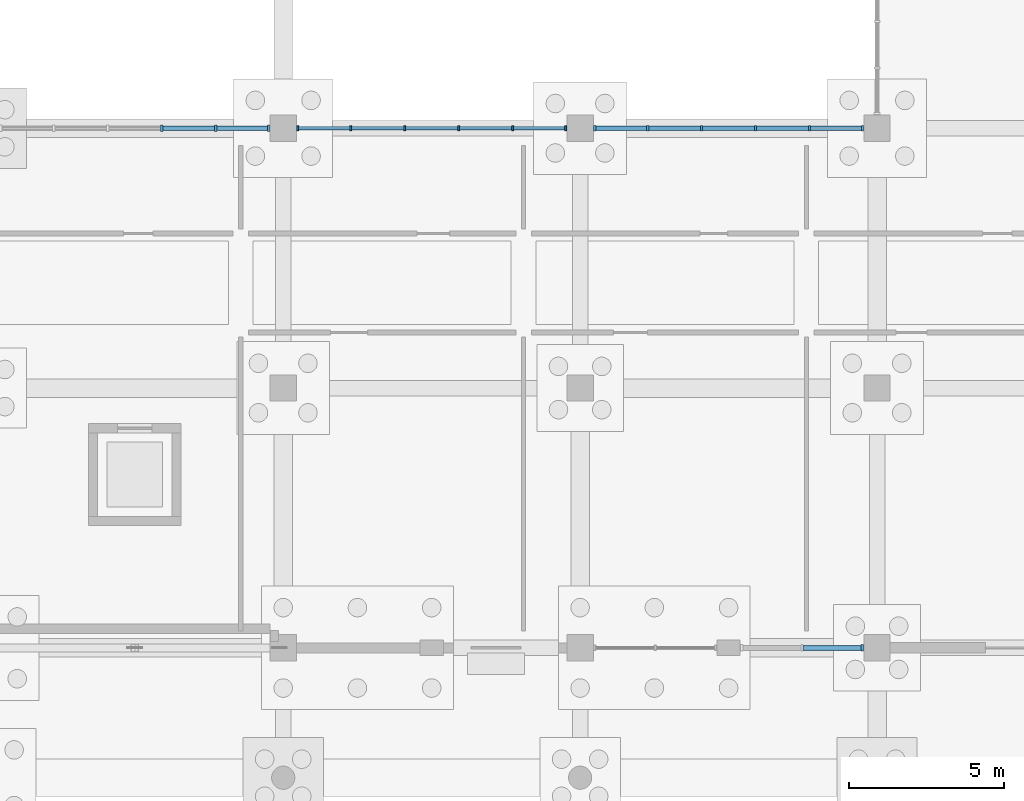
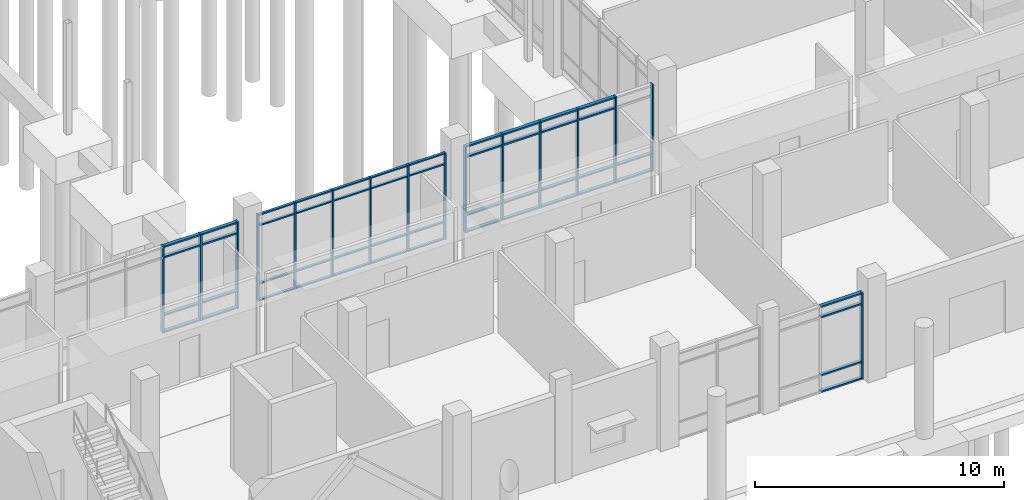
# One storey, part 50 of 136: 66 members, 4 elements without a shape of their own.
"""IFC4 building model written with IfcOpenShell, lengths in metres."""

from ifc_helpers import new_model, si_unit, direction, frame, origin, origin_2d, place, context, subcontext, project, spatial, rectangle, extrude, material, material_profile, profile_set, type_object, element, aggregate, save


model = new_model("IFC4")

# Units and contexts
model_context = context("Model", 3, precision=1e-05, world=origin(), true_north=direction((0.0, 1.0)))
body_context = subcontext(model_context, "Body", "Model", "MODEL_VIEW")
ifc_project = project(units=[si_unit("LENGTHUNIT", "METRE"), si_unit("AREAUNIT", "SQUARE_METRE"), si_unit("VOLUMEUNIT", "CUBIC_METRE"), si_unit("PLANEANGLEUNIT", "RADIAN"), si_unit("MASSUNIT", "GRAM", prefix="KILO")], contexts=[model_context])

# Site, building, storey
site_placement = place(None, origin())
site = spatial("IfcSite", under=ifc_project, at=site_placement, CompositionType="ELEMENT")
building_placement = place(site_placement, origin())
building = spatial("IfcBuilding", under=site, at=building_placement, Name="Oolite Switchyard Hospital", CompositionType="ELEMENT")
storey_placement = place(building_placement, origin())
storey = spatial("IfcBuildingStorey", under=building, at=storey_placement, Name="L00", CompositionType="ELEMENT", Elevation=0.0)

# Curtain wall, members
ifc_material_1 = material(Name="Thermally broken aluminum frame with laminated impact glazing", Category="aluminium")
curtain_wall_type_1 = type_object("IfcCurtainWallType", Name="CW-UNIT-96X51", PredefinedType="USERDEFINED", material=ifc_material_1)
curtain_wall_1_placement = place(storey_placement, origin())
curtain_wall_1 = element("IfcCurtainWall", 1, at=curtain_wall_1_placement, inside=storey, type_object=curtain_wall_type_1, Name="L00 Unitised Curtain Wall 12", ObjectType="UNITISED", PredefinedType="USERDEFINED")
ifc_material_2 = material(Name="Aluminium 6063-T6", Category="aluminium")
ifc_material_profile_1 = material_profile(ifc_material_2, rectangle(XDim=0.159912109375, YDim=0.06005859375, at=origin_2d()), Name="CWM60X160")
ifc_profile_set_1 = profile_set([ifc_material_profile_1], Name="Aluminium 6063-T6")
member_type_1 = type_object("IfcMemberType", Name="CW-MUL-180", PredefinedType="MULLION", material=ifc_profile_set_1)
member_1_placement = place(storey_placement, frame((163.669921875, 25.199951171875, 0.0), z_axis=(0.0, 0.0, 1.0), x_axis=(0.0, 1.0, 0.0)))
member_1 = element("IfcMember", 2, at=member_1_placement, type_object=member_type_1, Name="CW-01 mullion 1", PredefinedType="MULLION", context=body_context, shape_type="SweptSolid", body=[
    extrude(rectangle(XDim=0.159912109375, YDim=0.06005859375, at=origin_2d()), origin(), (0.0, 0.0, 1.0), 4.239990234375),
])
member_2_placement = place(storey_placement, frame((165.384033203125, 25.199951171875, 0.0), z_axis=(0.0, 0.0, 1.0), x_axis=(0.0, 1.0, 0.0)))
member_2 = element("IfcMember", 3, at=member_2_placement, type_object=member_type_1, Name="CW-01 mullion 2", PredefinedType="MULLION", context=body_context, shape_type="SweptSolid", body=[
    extrude(rectangle(XDim=0.159912109375, YDim=0.06005859375, at=origin_2d()), origin(), (0.0, 0.0, 1.0), 4.239990234375),
])
member_3_placement = place(storey_placement, frame((167.1279296875, 25.199951171875, 0.0), z_axis=(0.0, 0.0, 1.0), x_axis=(0.0, 1.0, 0.0)))
member_3 = element("IfcMember", 4, at=member_3_placement, type_object=member_type_1, Name="CW-01 mullion 3", PredefinedType="MULLION", context=body_context, shape_type="SweptSolid", body=[
    extrude(rectangle(XDim=0.159912109375, YDim=0.06005859375, at=origin_2d()), origin(), (0.0, 0.0, 1.0), 4.239990234375),
])
member_4_placement = place(storey_placement, frame((168.8720703125, 25.199951171875, 0.0), z_axis=(0.0, 0.0, 1.0), x_axis=(0.0, 1.0, 0.0)))
member_4 = element("IfcMember", 5, at=member_4_placement, type_object=member_type_1, Name="CW-01 mullion 4", PredefinedType="MULLION", context=body_context, shape_type="SweptSolid", body=[
    extrude(rectangle(XDim=0.159912109375, YDim=0.06005859375, at=origin_2d()), origin(), (0.0, 0.0, 1.0), 4.239990234375),
])
member_5_placement = place(storey_placement, frame((170.615966796875, 25.199951171875, 0.0), z_axis=(0.0, 0.0, 1.0), x_axis=(0.0, 1.0, 0.0)))
member_5 = element("IfcMember", 6, at=member_5_placement, type_object=member_type_1, Name="CW-01 mullion 5", PredefinedType="MULLION", context=body_context, shape_type="SweptSolid", body=[
    extrude(rectangle(XDim=0.159912109375, YDim=0.06005859375, at=origin_2d()), origin(), (0.0, 0.0, 1.0), 4.239990234375),
])
member_6_placement = place(storey_placement, frame((172.330078125, 25.199951171875, 0.0), z_axis=(0.0, 0.0, 1.0), x_axis=(0.0, 1.0, 0.0)))
member_6 = element("IfcMember", 7, at=member_6_placement, type_object=member_type_1, Name="CW-01 mullion 6", PredefinedType="MULLION", context=body_context, shape_type="SweptSolid", body=[
    extrude(rectangle(XDim=0.159912109375, YDim=0.06005859375, at=origin_2d()), origin(), (0.0, 0.0, 1.0), 4.239990234375),
])

curtain_wall_2_placement = place(storey_placement, origin())
curtain_wall_2 = element("IfcCurtainWall", 8, at=curtain_wall_2_placement, inside=storey, type_object=curtain_wall_type_1, Name="L00 Unitised Curtain Wall 13", ObjectType="UNITISED", PredefinedType="USERDEFINED")
ifc_material_profile_2 = material_profile(ifc_material_2, rectangle(XDim=0.179931640625, YDim=0.070068359375, at=origin_2d()), Name="CWM70X180")
ifc_profile_set_2 = profile_set([ifc_material_profile_2], Name="Aluminium 6063-T6")
member_type_2 = type_object("IfcMemberType", Name="CW-MUL-220", PredefinedType="MULLION", material=ifc_profile_set_2)
member_7_placement = place(storey_placement, frame((173.27490234375, 25.199951171875, 0.0), z_axis=(0.0, 0.0, 1.0), x_axis=(0.0, 1.0, 0.0)))
member_7 = element("IfcMember", 9, at=member_7_placement, type_object=member_type_2, Name="CW-01 mullion 1", PredefinedType="MULLION", context=body_context, shape_type="SweptSolid", body=[
    extrude(rectangle(XDim=0.179931640625, YDim=0.070068359375, at=origin_2d()), origin(), (0.0, 0.0, 1.0), 4.239990234375),
])
member_8_placement = place(storey_placement, frame((174.98388671875, 25.199951171875, 0.0), z_axis=(0.0, 0.0, 1.0), x_axis=(0.0, 1.0, 0.0)))
member_8 = element("IfcMember", 10, at=member_8_placement, type_object=member_type_2, Name="CW-01 mullion 2", PredefinedType="MULLION", context=body_context, shape_type="SweptSolid", body=[
    extrude(rectangle(XDim=0.179931640625, YDim=0.070068359375, at=origin_2d()), origin(), (0.0, 0.0, 1.0), 4.239990234375),
])
member_9_placement = place(storey_placement, frame((176.72802734375, 25.199951171875, 0.0), z_axis=(0.0, 0.0, 1.0), x_axis=(0.0, 1.0, 0.0)))
member_9 = element("IfcMember", 11, at=member_9_placement, type_object=member_type_2, Name="CW-01 mullion 3", PredefinedType="MULLION", context=body_context, shape_type="SweptSolid", body=[
    extrude(rectangle(XDim=0.179931640625, YDim=0.070068359375, at=origin_2d()), origin(), (0.0, 0.0, 1.0), 4.239990234375),
])
member_10_placement = place(storey_placement, frame((178.471923828125, 25.199951171875, 0.0), z_axis=(0.0, 0.0, 1.0), x_axis=(0.0, 1.0, 0.0)))
member_10 = element("IfcMember", 12, at=member_10_placement, type_object=member_type_2, Name="CW-01 mullion 4", PredefinedType="MULLION", context=body_context, shape_type="SweptSolid", body=[
    extrude(rectangle(XDim=0.179931640625, YDim=0.070068359375, at=origin_2d()), origin(), (0.0, 0.0, 1.0), 4.239990234375),
])
member_11_placement = place(storey_placement, frame((180.216064453125, 25.199951171875, 0.0), z_axis=(0.0, 0.0, 1.0), x_axis=(0.0, 1.0, 0.0)))
member_11 = element("IfcMember", 13, at=member_11_placement, type_object=member_type_2, Name="CW-01 mullion 5", PredefinedType="MULLION", context=body_context, shape_type="SweptSolid", body=[
    extrude(rectangle(XDim=0.179931640625, YDim=0.070068359375, at=origin_2d()), origin(), (0.0, 0.0, 1.0), 4.239990234375),
])
member_12_placement = place(storey_placement, frame((181.925048828125, 25.199951171875, 0.0), z_axis=(0.0, 0.0, 1.0), x_axis=(0.0, 1.0, 0.0)))
member_12 = element("IfcMember", 14, at=member_12_placement, type_object=member_type_2, Name="CW-01 mullion 6", PredefinedType="MULLION", context=body_context, shape_type="SweptSolid", body=[
    extrude(rectangle(XDim=0.179931640625, YDim=0.070068359375, at=origin_2d()), origin(), (0.0, 0.0, 1.0), 4.239990234375),
])

# Curtain wall, member
curtain_wall_type_2 = type_object("IfcCurtainWallType", Name="CW-UNIT-84X51", PredefinedType="USERDEFINED", material=ifc_material_1)
curtain_wall_3_placement = place(storey_placement, origin())
curtain_wall_3 = element("IfcCurtainWall", 15, at=curtain_wall_3_placement, inside=storey, type_object=curtain_wall_type_2, Name="L00 Unitised Curtain Wall 5", ObjectType="UNITISED", PredefinedType="USERDEFINED")
ifc_material_profile_3 = material_profile(ifc_material_2, rectangle(XDim=0.199951171875, YDim=0.074951171875, at=origin_2d()), Name="CWM75X200")
ifc_profile_set_3 = profile_set([ifc_material_profile_3], Name="Aluminium 6063-T6")
member_type_3 = type_object("IfcMemberType", Name="CW-MUL-260", PredefinedType="MULLION", material=ifc_profile_set_3)
member_13_placement = place(storey_placement, frame((181.922607421875, 8.39990234375, 0.0), z_axis=(0.0, 0.0, 1.0), x_axis=(0.0, -1.0, 0.0)))
member_13 = element("IfcMember", 16, at=member_13_placement, type_object=member_type_3, Name="CW-06 mullion 1", PredefinedType="MULLION", context=body_context, shape_type="SweptSolid", body=[
    extrude(rectangle(XDim=0.199951171875, YDim=0.074951171875, at=origin_2d()), origin(), (0.0, 0.0, 1.0), 4.239990234375),
])

# Curtain wall, members
curtain_wall_4_placement = place(storey_placement, origin())
curtain_wall_4 = element("IfcCurtainWall", 17, at=curtain_wall_4_placement, inside=storey, type_object=curtain_wall_type_1, Name="L00 Unitised Curtain Wall 11", ObjectType="UNITISED", PredefinedType="USERDEFINED")
member_14_placement = place(storey_placement, frame((159.27197265625, 25.199951171875, 0.0), z_axis=(0.0, 0.0, 1.0), x_axis=(0.0, 1.0, 0.0)))
member_14 = element("IfcMember", 18, at=member_14_placement, type_object=member_type_3, Name="CW-01 mullion 4", PredefinedType="MULLION", context=body_context, shape_type="SweptSolid", body=[
    extrude(rectangle(XDim=0.199951171875, YDim=0.074951171875, at=origin_2d()), origin(), (0.0, 0.0, 1.0), 4.239990234375),
])
member_15_placement = place(storey_placement, frame((161.01611328125, 25.199951171875, 0.0), z_axis=(0.0, 0.0, 1.0), x_axis=(0.0, 1.0, 0.0)))
member_15 = element("IfcMember", 19, at=member_15_placement, type_object=member_type_3, Name="CW-01 mullion 5", PredefinedType="MULLION", context=body_context, shape_type="SweptSolid", body=[
    extrude(rectangle(XDim=0.199951171875, YDim=0.074951171875, at=origin_2d()), origin(), (0.0, 0.0, 1.0), 4.239990234375),
])
member_16_placement = place(storey_placement, frame((162.722412109375, 25.199951171875, 0.0), z_axis=(0.0, 0.0, 1.0), x_axis=(0.0, 1.0, 0.0)))
member_16 = element("IfcMember", 20, at=member_16_placement, type_object=member_type_3, Name="CW-01 mullion 6", PredefinedType="MULLION", context=body_context, shape_type="SweptSolid", body=[
    extrude(rectangle(XDim=0.199951171875, YDim=0.074951171875, at=origin_2d()), origin(), (0.0, 0.0, 1.0), 4.239990234375),
])

# Member
ifc_material_profile_4 = material_profile(ifc_material_2, rectangle(XDim=0.1201171875, YDim=0.06005859375, at=origin_2d()), Name="CWT60X120")
ifc_profile_set_4 = profile_set([ifc_material_profile_4], Name="Aluminium 6063-T6")
member_type_4 = type_object("IfcMemberType", Name="CW-TRN-150", PredefinedType="USERDEFINED", material=ifc_profile_set_4)
member_17_placement = place(storey_placement, frame((163.699951171875, 25.199951171875, 0.030029296875), z_axis=(1.0, 0.0, 0.0), x_axis=(0.0, 1.0, 0.0)))
member_17 = element("IfcMember", 21, at=member_17_placement, type_object=member_type_4, Name="CW-01 transom 1.1", ObjectType="TRANSOM", PredefinedType="USERDEFINED", context=body_context, shape_type="SweptSolid", body=[
    extrude(rectangle(XDim=0.1201171875, YDim=0.06005859375, at=origin_2d()), origin(), (0.0, 0.0, 1.0), 1.654052734375),
])

member_18_placement = place(storey_placement, frame((163.699951171875, 25.199951171875, 0.85009765625), z_axis=(1.0, 0.0, 0.0), x_axis=(0.0, 1.0, 0.0)))
member_18 = element("IfcMember", 22, at=member_18_placement, type_object=member_type_4, Name="CW-01 transom 1.2", ObjectType="TRANSOM", PredefinedType="USERDEFINED", context=body_context, shape_type="SweptSolid", body=[
    extrude(rectangle(XDim=0.1201171875, YDim=0.06005859375, at=origin_2d()), origin(), (0.0, 0.0, 1.0), 1.654052734375),
])

member_19_placement = place(storey_placement, frame((163.699951171875, 25.199951171875, 3.68994140625), z_axis=(1.0, 0.0, 0.0), x_axis=(0.0, 1.0, 0.0)))
member_19 = element("IfcMember", 23, at=member_19_placement, type_object=member_type_4, Name="CW-01 transom 1.3", ObjectType="TRANSOM", PredefinedType="USERDEFINED", context=body_context, shape_type="SweptSolid", body=[
    extrude(rectangle(XDim=0.1201171875, YDim=0.06005859375, at=origin_2d()), origin(), (0.0, 0.0, 1.0), 1.654052734375),
])

member_20_placement = place(storey_placement, frame((163.699951171875, 25.199951171875, 4.2099609375), z_axis=(1.0, 0.0, 0.0), x_axis=(0.0, 1.0, 0.0)))
member_20 = element("IfcMember", 24, at=member_20_placement, type_object=member_type_4, Name="CW-01 transom 1.4", ObjectType="TRANSOM", PredefinedType="USERDEFINED", context=body_context, shape_type="SweptSolid", body=[
    extrude(rectangle(XDim=0.1201171875, YDim=0.06005859375, at=origin_2d()), origin(), (0.0, 0.0, 1.0), 1.654052734375),
])

member_21_placement = place(storey_placement, frame((165.4140625, 25.199951171875, 0.030029296875), z_axis=(1.0, 0.0, 0.0), x_axis=(0.0, 1.0, 0.0)))
member_21 = element("IfcMember", 25, at=member_21_placement, type_object=member_type_4, Name="CW-01 transom 2.1", ObjectType="TRANSOM", PredefinedType="USERDEFINED", context=body_context, shape_type="SweptSolid", body=[
    extrude(rectangle(XDim=0.1201171875, YDim=0.06005859375, at=origin_2d()), origin(), (0.0, 0.0, 1.0), 1.683837890625),
])

member_22_placement = place(storey_placement, frame((165.4140625, 25.199951171875, 0.85009765625), z_axis=(1.0, 0.0, 0.0), x_axis=(0.0, 1.0, 0.0)))
member_22 = element("IfcMember", 26, at=member_22_placement, type_object=member_type_4, Name="CW-01 transom 2.2", ObjectType="TRANSOM", PredefinedType="USERDEFINED", context=body_context, shape_type="SweptSolid", body=[
    extrude(rectangle(XDim=0.1201171875, YDim=0.06005859375, at=origin_2d()), origin(), (0.0, 0.0, 1.0), 1.683837890625),
])

member_23_placement = place(storey_placement, frame((165.4140625, 25.199951171875, 3.68994140625), z_axis=(1.0, 0.0, 0.0), x_axis=(0.0, 1.0, 0.0)))
member_23 = element("IfcMember", 27, at=member_23_placement, type_object=member_type_4, Name="CW-01 transom 2.3", ObjectType="TRANSOM", PredefinedType="USERDEFINED", context=body_context, shape_type="SweptSolid", body=[
    extrude(rectangle(XDim=0.1201171875, YDim=0.06005859375, at=origin_2d()), origin(), (0.0, 0.0, 1.0), 1.683837890625),
])

member_24_placement = place(storey_placement, frame((165.4140625, 25.199951171875, 4.2099609375), z_axis=(1.0, 0.0, 0.0), x_axis=(0.0, 1.0, 0.0)))
member_24 = element("IfcMember", 28, at=member_24_placement, type_object=member_type_4, Name="CW-01 transom 2.4", ObjectType="TRANSOM", PredefinedType="USERDEFINED", context=body_context, shape_type="SweptSolid", body=[
    extrude(rectangle(XDim=0.1201171875, YDim=0.06005859375, at=origin_2d()), origin(), (0.0, 0.0, 1.0), 1.683837890625),
])

member_25_placement = place(storey_placement, frame((167.157958984375, 25.199951171875, 0.030029296875), z_axis=(1.0, 0.0, 0.0), x_axis=(0.0, 1.0, 0.0)))
member_25 = element("IfcMember", 29, at=member_25_placement, type_object=member_type_4, Name="CW-01 transom 3.1", ObjectType="TRANSOM", PredefinedType="USERDEFINED", context=body_context, shape_type="SweptSolid", body=[
    extrude(rectangle(XDim=0.1201171875, YDim=0.06005859375, at=origin_2d()), origin(), (0.0, 0.0, 1.0), 1.68408203125),
])

member_26_placement = place(storey_placement, frame((167.157958984375, 25.199951171875, 0.85009765625), z_axis=(1.0, 0.0, 0.0), x_axis=(0.0, 1.0, 0.0)))
member_26 = element("IfcMember", 30, at=member_26_placement, type_object=member_type_4, Name="CW-01 transom 3.2", ObjectType="TRANSOM", PredefinedType="USERDEFINED", context=body_context, shape_type="SweptSolid", body=[
    extrude(rectangle(XDim=0.1201171875, YDim=0.06005859375, at=origin_2d()), origin(), (0.0, 0.0, 1.0), 1.68408203125),
])

member_27_placement = place(storey_placement, frame((167.157958984375, 25.199951171875, 3.68994140625), z_axis=(1.0, 0.0, 0.0), x_axis=(0.0, 1.0, 0.0)))
member_27 = element("IfcMember", 31, at=member_27_placement, type_object=member_type_4, Name="CW-01 transom 3.3", ObjectType="TRANSOM", PredefinedType="USERDEFINED", context=body_context, shape_type="SweptSolid", body=[
    extrude(rectangle(XDim=0.1201171875, YDim=0.06005859375, at=origin_2d()), origin(), (0.0, 0.0, 1.0), 1.68408203125),
])

member_28_placement = place(storey_placement, frame((167.157958984375, 25.199951171875, 4.2099609375), z_axis=(1.0, 0.0, 0.0), x_axis=(0.0, 1.0, 0.0)))
member_28 = element("IfcMember", 32, at=member_28_placement, type_object=member_type_4, Name="CW-01 transom 3.4", ObjectType="TRANSOM", PredefinedType="USERDEFINED", context=body_context, shape_type="SweptSolid", body=[
    extrude(rectangle(XDim=0.1201171875, YDim=0.06005859375, at=origin_2d()), origin(), (0.0, 0.0, 1.0), 1.68408203125),
])

member_29_placement = place(storey_placement, frame((168.902099609375, 25.199951171875, 0.030029296875), z_axis=(1.0, 0.0, 0.0), x_axis=(0.0, 1.0, 0.0)))
member_29 = element("IfcMember", 33, at=member_29_placement, type_object=member_type_4, Name="CW-01 transom 4.1", ObjectType="TRANSOM", PredefinedType="USERDEFINED", context=body_context, shape_type="SweptSolid", body=[
    extrude(rectangle(XDim=0.1201171875, YDim=0.06005859375, at=origin_2d()), origin(), (0.0, 0.0, 1.0), 1.683837890625),
])

member_30_placement = place(storey_placement, frame((168.902099609375, 25.199951171875, 0.85009765625), z_axis=(1.0, 0.0, 0.0), x_axis=(0.0, 1.0, 0.0)))
member_30 = element("IfcMember", 34, at=member_30_placement, type_object=member_type_4, Name="CW-01 transom 4.2", ObjectType="TRANSOM", PredefinedType="USERDEFINED", context=body_context, shape_type="SweptSolid", body=[
    extrude(rectangle(XDim=0.1201171875, YDim=0.06005859375, at=origin_2d()), origin(), (0.0, 0.0, 1.0), 1.683837890625),
])

member_31_placement = place(storey_placement, frame((168.902099609375, 25.199951171875, 3.68994140625), z_axis=(1.0, 0.0, 0.0), x_axis=(0.0, 1.0, 0.0)))
member_31 = element("IfcMember", 35, at=member_31_placement, type_object=member_type_4, Name="CW-01 transom 4.3", ObjectType="TRANSOM", PredefinedType="USERDEFINED", context=body_context, shape_type="SweptSolid", body=[
    extrude(rectangle(XDim=0.1201171875, YDim=0.06005859375, at=origin_2d()), origin(), (0.0, 0.0, 1.0), 1.683837890625),
])

member_32_placement = place(storey_placement, frame((168.902099609375, 25.199951171875, 4.2099609375), z_axis=(1.0, 0.0, 0.0), x_axis=(0.0, 1.0, 0.0)))
member_32 = element("IfcMember", 36, at=member_32_placement, type_object=member_type_4, Name="CW-01 transom 4.4", ObjectType="TRANSOM", PredefinedType="USERDEFINED", context=body_context, shape_type="SweptSolid", body=[
    extrude(rectangle(XDim=0.1201171875, YDim=0.06005859375, at=origin_2d()), origin(), (0.0, 0.0, 1.0), 1.683837890625),
])

member_33_placement = place(storey_placement, frame((170.64599609375, 25.199951171875, 0.030029296875), z_axis=(1.0, 0.0, 0.0), x_axis=(0.0, 1.0, 0.0)))
member_33 = element("IfcMember", 37, at=member_33_placement, type_object=member_type_4, Name="CW-01 transom 5.1", ObjectType="TRANSOM", PredefinedType="USERDEFINED", context=body_context, shape_type="SweptSolid", body=[
    extrude(rectangle(XDim=0.1201171875, YDim=0.06005859375, at=origin_2d()), origin(), (0.0, 0.0, 1.0), 1.654052734375),
])

member_34_placement = place(storey_placement, frame((170.64599609375, 25.199951171875, 0.85009765625), z_axis=(1.0, 0.0, 0.0), x_axis=(0.0, 1.0, 0.0)))
member_34 = element("IfcMember", 38, at=member_34_placement, type_object=member_type_4, Name="CW-01 transom 5.2", ObjectType="TRANSOM", PredefinedType="USERDEFINED", context=body_context, shape_type="SweptSolid", body=[
    extrude(rectangle(XDim=0.1201171875, YDim=0.06005859375, at=origin_2d()), origin(), (0.0, 0.0, 1.0), 1.654052734375),
])

member_35_placement = place(storey_placement, frame((170.64599609375, 25.199951171875, 3.68994140625), z_axis=(1.0, 0.0, 0.0), x_axis=(0.0, 1.0, 0.0)))
member_35 = element("IfcMember", 39, at=member_35_placement, type_object=member_type_4, Name="CW-01 transom 5.3", ObjectType="TRANSOM", PredefinedType="USERDEFINED", context=body_context, shape_type="SweptSolid", body=[
    extrude(rectangle(XDim=0.1201171875, YDim=0.06005859375, at=origin_2d()), origin(), (0.0, 0.0, 1.0), 1.654052734375),
])

member_36_placement = place(storey_placement, frame((170.64599609375, 25.199951171875, 4.2099609375), z_axis=(1.0, 0.0, 0.0), x_axis=(0.0, 1.0, 0.0)))
member_36 = element("IfcMember", 40, at=member_36_placement, type_object=member_type_4, Name="CW-01 transom 5.4", ObjectType="TRANSOM", PredefinedType="USERDEFINED", context=body_context, shape_type="SweptSolid", body=[
    extrude(rectangle(XDim=0.1201171875, YDim=0.06005859375, at=origin_2d()), origin(), (0.0, 0.0, 1.0), 1.654052734375),
])

aggregate(curtain_wall_1, [member_1, member_2, member_3, member_4, member_5, member_6, member_17, member_18, member_19, member_20, member_21, member_22, member_23, member_24, member_25, member_26, member_27, member_28, member_29, member_30, member_31, member_32, member_33, member_34, member_35, member_36])

ifc_material_profile_5 = material_profile(ifc_material_2, rectangle(XDim=0.159912109375, YDim=0.074951171875, at=origin_2d()), Name="CWT75X160")
ifc_profile_set_5 = profile_set([ifc_material_profile_5], Name="Aluminium 6063-T6")
member_type_5 = type_object("IfcMemberType", Name="CW-TRN-180", PredefinedType="USERDEFINED", material=ifc_profile_set_5)
member_37_placement = place(storey_placement, frame((181.885009765625, 8.39990234375, 0.03759765625), z_axis=(-1.0, 0.0, 0.0), x_axis=(0.0, -1.0, 0.0)))
member_37 = element("IfcMember", 41, at=member_37_placement, type_object=member_type_5, Name="CW-06 transom 1.1", ObjectType="TRANSOM", PredefinedType="USERDEFINED", context=body_context, shape_type="SweptSolid", body=[
    extrude(rectangle(XDim=0.159912109375, YDim=0.074951171875, at=origin_2d()), origin(), (0.0, 0.0, 1.0), 1.87255859375),
])

member_38_placement = place(storey_placement, frame((181.885009765625, 8.39990234375, 0.85009765625), z_axis=(-1.0, 0.0, 0.0), x_axis=(0.0, -1.0, 0.0)))
member_38 = element("IfcMember", 42, at=member_38_placement, type_object=member_type_5, Name="CW-06 transom 1.2", ObjectType="TRANSOM", PredefinedType="USERDEFINED", context=body_context, shape_type="SweptSolid", body=[
    extrude(rectangle(XDim=0.159912109375, YDim=0.074951171875, at=origin_2d()), origin(), (0.0, 0.0, 1.0), 1.87255859375),
])

member_39_placement = place(storey_placement, frame((181.885009765625, 8.39990234375, 3.68994140625), z_axis=(-1.0, 0.0, 0.0), x_axis=(0.0, -1.0, 0.0)))
member_39 = element("IfcMember", 43, at=member_39_placement, type_object=member_type_5, Name="CW-06 transom 1.3", ObjectType="TRANSOM", PredefinedType="USERDEFINED", context=body_context, shape_type="SweptSolid", body=[
    extrude(rectangle(XDim=0.159912109375, YDim=0.074951171875, at=origin_2d()), origin(), (0.0, 0.0, 1.0), 1.87255859375),
])

member_40_placement = place(storey_placement, frame((181.885009765625, 8.39990234375, 4.202392578125), z_axis=(-1.0, 0.0, 0.0), x_axis=(0.0, -1.0, 0.0)))
member_40 = element("IfcMember", 44, at=member_40_placement, type_object=member_type_5, Name="CW-06 transom 1.4", ObjectType="TRANSOM", PredefinedType="USERDEFINED", context=body_context, shape_type="SweptSolid", body=[
    extrude(rectangle(XDim=0.159912109375, YDim=0.074951171875, at=origin_2d()), origin(), (0.0, 0.0, 1.0), 1.87255859375),
])

aggregate(curtain_wall_3, [member_13, member_37, member_38, member_39, member_40])

member_41_placement = place(storey_placement, frame((159.3095703125, 25.199951171875, 0.03759765625), z_axis=(1.0, 0.0, 0.0), x_axis=(0.0, 1.0, 0.0)))
member_41 = element("IfcMember", 45, at=member_41_placement, type_object=member_type_5, Name="CW-01 transom 4.1", ObjectType="TRANSOM", PredefinedType="USERDEFINED", context=body_context, shape_type="SweptSolid", body=[
    extrude(rectangle(XDim=0.159912109375, YDim=0.074951171875, at=origin_2d()), origin(), (0.0, 0.0, 1.0), 1.6689453125),
])

member_42_placement = place(storey_placement, frame((159.3095703125, 25.199951171875, 0.85009765625), z_axis=(1.0, 0.0, 0.0), x_axis=(0.0, 1.0, 0.0)))
member_42 = element("IfcMember", 46, at=member_42_placement, type_object=member_type_5, Name="CW-01 transom 4.2", ObjectType="TRANSOM", PredefinedType="USERDEFINED", context=body_context, shape_type="SweptSolid", body=[
    extrude(rectangle(XDim=0.159912109375, YDim=0.074951171875, at=origin_2d()), origin(), (0.0, 0.0, 1.0), 1.6689453125),
])

member_43_placement = place(storey_placement, frame((159.3095703125, 25.199951171875, 3.68994140625), z_axis=(1.0, 0.0, 0.0), x_axis=(0.0, 1.0, 0.0)))
member_43 = element("IfcMember", 47, at=member_43_placement, type_object=member_type_5, Name="CW-01 transom 4.3", ObjectType="TRANSOM", PredefinedType="USERDEFINED", context=body_context, shape_type="SweptSolid", body=[
    extrude(rectangle(XDim=0.159912109375, YDim=0.074951171875, at=origin_2d()), origin(), (0.0, 0.0, 1.0), 1.6689453125),
])

member_44_placement = place(storey_placement, frame((159.3095703125, 25.199951171875, 4.202392578125), z_axis=(1.0, 0.0, 0.0), x_axis=(0.0, 1.0, 0.0)))
member_44 = element("IfcMember", 48, at=member_44_placement, type_object=member_type_5, Name="CW-01 transom 4.4", ObjectType="TRANSOM", PredefinedType="USERDEFINED", context=body_context, shape_type="SweptSolid", body=[
    extrude(rectangle(XDim=0.159912109375, YDim=0.074951171875, at=origin_2d()), origin(), (0.0, 0.0, 1.0), 1.6689453125),
])

member_45_placement = place(storey_placement, frame((161.053466796875, 25.199951171875, 0.03759765625), z_axis=(1.0, 0.0, 0.0), x_axis=(0.0, 1.0, 0.0)))
member_45 = element("IfcMember", 49, at=member_45_placement, type_object=member_type_5, Name="CW-01 transom 5.1", ObjectType="TRANSOM", PredefinedType="USERDEFINED", context=body_context, shape_type="SweptSolid", body=[
    extrude(rectangle(XDim=0.159912109375, YDim=0.074951171875, at=origin_2d()), origin(), (0.0, 0.0, 1.0), 1.631591796875),
])

member_46_placement = place(storey_placement, frame((161.053466796875, 25.199951171875, 0.85009765625), z_axis=(1.0, 0.0, 0.0), x_axis=(0.0, 1.0, 0.0)))
member_46 = element("IfcMember", 50, at=member_46_placement, type_object=member_type_5, Name="CW-01 transom 5.2", ObjectType="TRANSOM", PredefinedType="USERDEFINED", context=body_context, shape_type="SweptSolid", body=[
    extrude(rectangle(XDim=0.159912109375, YDim=0.074951171875, at=origin_2d()), origin(), (0.0, 0.0, 1.0), 1.631591796875),
])

member_47_placement = place(storey_placement, frame((161.053466796875, 25.199951171875, 3.68994140625), z_axis=(1.0, 0.0, 0.0), x_axis=(0.0, 1.0, 0.0)))
member_47 = element("IfcMember", 51, at=member_47_placement, type_object=member_type_5, Name="CW-01 transom 5.3", ObjectType="TRANSOM", PredefinedType="USERDEFINED", context=body_context, shape_type="SweptSolid", body=[
    extrude(rectangle(XDim=0.159912109375, YDim=0.074951171875, at=origin_2d()), origin(), (0.0, 0.0, 1.0), 1.631591796875),
])

member_48_placement = place(storey_placement, frame((161.053466796875, 25.199951171875, 4.202392578125), z_axis=(1.0, 0.0, 0.0), x_axis=(0.0, 1.0, 0.0)))
member_48 = element("IfcMember", 52, at=member_48_placement, type_object=member_type_5, Name="CW-01 transom 5.4", ObjectType="TRANSOM", PredefinedType="USERDEFINED", context=body_context, shape_type="SweptSolid", body=[
    extrude(rectangle(XDim=0.159912109375, YDim=0.074951171875, at=origin_2d()), origin(), (0.0, 0.0, 1.0), 1.631591796875),
])

aggregate(curtain_wall_4, [member_14, member_15, member_16, member_41, member_42, member_43, member_44, member_45, member_46, member_47, member_48])

member_49_placement = place(storey_placement, frame((173.31005859375, 25.199951171875, 0.03759765625), z_axis=(1.0, 0.0, 0.0), x_axis=(0.0, 1.0, 0.0)))
member_49 = element("IfcMember", 53, at=member_49_placement, type_object=member_type_5, Name="CW-01 transom 1.1", ObjectType="TRANSOM", PredefinedType="USERDEFINED", context=body_context, shape_type="SweptSolid", body=[
    extrude(rectangle(XDim=0.159912109375, YDim=0.074951171875, at=origin_2d()), origin(), (0.0, 0.0, 1.0), 1.638916015625),
])

member_50_placement = place(storey_placement, frame((173.31005859375, 25.199951171875, 0.85009765625), z_axis=(1.0, 0.0, 0.0), x_axis=(0.0, 1.0, 0.0)))
member_50 = element("IfcMember", 54, at=member_50_placement, type_object=member_type_5, Name="CW-01 transom 1.2", ObjectType="TRANSOM", PredefinedType="USERDEFINED", context=body_context, shape_type="SweptSolid", body=[
    extrude(rectangle(XDim=0.159912109375, YDim=0.074951171875, at=origin_2d()), origin(), (0.0, 0.0, 1.0), 1.638916015625),
])

member_51_placement = place(storey_placement, frame((173.31005859375, 25.199951171875, 3.68994140625), z_axis=(1.0, 0.0, 0.0), x_axis=(0.0, 1.0, 0.0)))
member_51 = element("IfcMember", 55, at=member_51_placement, type_object=member_type_5, Name="CW-01 transom 1.3", ObjectType="TRANSOM", PredefinedType="USERDEFINED", context=body_context, shape_type="SweptSolid", body=[
    extrude(rectangle(XDim=0.159912109375, YDim=0.074951171875, at=origin_2d()), origin(), (0.0, 0.0, 1.0), 1.638916015625),
])

member_52_placement = place(storey_placement, frame((173.31005859375, 25.199951171875, 4.202392578125), z_axis=(1.0, 0.0, 0.0), x_axis=(0.0, 1.0, 0.0)))
member_52 = element("IfcMember", 56, at=member_52_placement, type_object=member_type_5, Name="CW-01 transom 1.4", ObjectType="TRANSOM", PredefinedType="USERDEFINED", context=body_context, shape_type="SweptSolid", body=[
    extrude(rectangle(XDim=0.159912109375, YDim=0.074951171875, at=origin_2d()), origin(), (0.0, 0.0, 1.0), 1.638916015625),
])

member_53_placement = place(storey_placement, frame((175.01904296875, 25.199951171875, 0.03759765625), z_axis=(1.0, 0.0, 0.0), x_axis=(0.0, 1.0, 0.0)))
member_53 = element("IfcMember", 57, at=member_53_placement, type_object=member_type_5, Name="CW-01 transom 2.1", ObjectType="TRANSOM", PredefinedType="USERDEFINED", context=body_context, shape_type="SweptSolid", body=[
    extrude(rectangle(XDim=0.159912109375, YDim=0.074951171875, at=origin_2d()), origin(), (0.0, 0.0, 1.0), 1.674072265625),
])

member_54_placement = place(storey_placement, frame((175.01904296875, 25.199951171875, 0.85009765625), z_axis=(1.0, 0.0, 0.0), x_axis=(0.0, 1.0, 0.0)))
member_54 = element("IfcMember", 58, at=member_54_placement, type_object=member_type_5, Name="CW-01 transom 2.2", ObjectType="TRANSOM", PredefinedType="USERDEFINED", context=body_context, shape_type="SweptSolid", body=[
    extrude(rectangle(XDim=0.159912109375, YDim=0.074951171875, at=origin_2d()), origin(), (0.0, 0.0, 1.0), 1.674072265625),
])

member_55_placement = place(storey_placement, frame((175.01904296875, 25.199951171875, 3.68994140625), z_axis=(1.0, 0.0, 0.0), x_axis=(0.0, 1.0, 0.0)))
member_55 = element("IfcMember", 59, at=member_55_placement, type_object=member_type_5, Name="CW-01 transom 2.3", ObjectType="TRANSOM", PredefinedType="USERDEFINED", context=body_context, shape_type="SweptSolid", body=[
    extrude(rectangle(XDim=0.159912109375, YDim=0.074951171875, at=origin_2d()), origin(), (0.0, 0.0, 1.0), 1.674072265625),
])

member_56_placement = place(storey_placement, frame((175.01904296875, 25.199951171875, 4.202392578125), z_axis=(1.0, 0.0, 0.0), x_axis=(0.0, 1.0, 0.0)))
member_56 = element("IfcMember", 60, at=member_56_placement, type_object=member_type_5, Name="CW-01 transom 2.4", ObjectType="TRANSOM", PredefinedType="USERDEFINED", context=body_context, shape_type="SweptSolid", body=[
    extrude(rectangle(XDim=0.159912109375, YDim=0.074951171875, at=origin_2d()), origin(), (0.0, 0.0, 1.0), 1.674072265625),
])

member_57_placement = place(storey_placement, frame((176.762939453125, 25.199951171875, 0.03759765625), z_axis=(1.0, 0.0, 0.0), x_axis=(0.0, 1.0, 0.0)))
member_57 = element("IfcMember", 61, at=member_57_placement, type_object=member_type_5, Name="CW-01 transom 3.1", ObjectType="TRANSOM", PredefinedType="USERDEFINED", context=body_context, shape_type="SweptSolid", body=[
    extrude(rectangle(XDim=0.159912109375, YDim=0.074951171875, at=origin_2d()), origin(), (0.0, 0.0, 1.0), 1.674072265625),
])

member_58_placement = place(storey_placement, frame((176.762939453125, 25.199951171875, 0.85009765625), z_axis=(1.0, 0.0, 0.0), x_axis=(0.0, 1.0, 0.0)))
member_58 = element("IfcMember", 62, at=member_58_placement, type_object=member_type_5, Name="CW-01 transom 3.2", ObjectType="TRANSOM", PredefinedType="USERDEFINED", context=body_context, shape_type="SweptSolid", body=[
    extrude(rectangle(XDim=0.159912109375, YDim=0.074951171875, at=origin_2d()), origin(), (0.0, 0.0, 1.0), 1.674072265625),
])

member_59_placement = place(storey_placement, frame((176.762939453125, 25.199951171875, 3.68994140625), z_axis=(1.0, 0.0, 0.0), x_axis=(0.0, 1.0, 0.0)))
member_59 = element("IfcMember", 63, at=member_59_placement, type_object=member_type_5, Name="CW-01 transom 3.3", ObjectType="TRANSOM", PredefinedType="USERDEFINED", context=body_context, shape_type="SweptSolid", body=[
    extrude(rectangle(XDim=0.159912109375, YDim=0.074951171875, at=origin_2d()), origin(), (0.0, 0.0, 1.0), 1.674072265625),
])

member_60_placement = place(storey_placement, frame((176.762939453125, 25.199951171875, 4.202392578125), z_axis=(1.0, 0.0, 0.0), x_axis=(0.0, 1.0, 0.0)))
member_60 = element("IfcMember", 64, at=member_60_placement, type_object=member_type_5, Name="CW-01 transom 3.4", ObjectType="TRANSOM", PredefinedType="USERDEFINED", context=body_context, shape_type="SweptSolid", body=[
    extrude(rectangle(XDim=0.159912109375, YDim=0.074951171875, at=origin_2d()), origin(), (0.0, 0.0, 1.0), 1.674072265625),
])

member_61_placement = place(storey_placement, frame((178.507080078125, 25.199951171875, 0.03759765625), z_axis=(1.0, 0.0, 0.0), x_axis=(0.0, 1.0, 0.0)))
member_61 = element("IfcMember", 65, at=member_61_placement, type_object=member_type_5, Name="CW-01 transom 4.1", ObjectType="TRANSOM", PredefinedType="USERDEFINED", context=body_context, shape_type="SweptSolid", body=[
    extrude(rectangle(XDim=0.159912109375, YDim=0.074951171875, at=origin_2d()), origin(), (0.0, 0.0, 1.0), 1.673828125),
])

member_62_placement = place(storey_placement, frame((178.507080078125, 25.199951171875, 0.85009765625), z_axis=(1.0, 0.0, 0.0), x_axis=(0.0, 1.0, 0.0)))
member_62 = element("IfcMember", 66, at=member_62_placement, type_object=member_type_5, Name="CW-01 transom 4.2", ObjectType="TRANSOM", PredefinedType="USERDEFINED", context=body_context, shape_type="SweptSolid", body=[
    extrude(rectangle(XDim=0.159912109375, YDim=0.074951171875, at=origin_2d()), origin(), (0.0, 0.0, 1.0), 1.673828125),
])

member_63_placement = place(storey_placement, frame((178.507080078125, 25.199951171875, 3.68994140625), z_axis=(1.0, 0.0, 0.0), x_axis=(0.0, 1.0, 0.0)))
member_63 = element("IfcMember", 67, at=member_63_placement, type_object=member_type_5, Name="CW-01 transom 4.3", ObjectType="TRANSOM", PredefinedType="USERDEFINED", context=body_context, shape_type="SweptSolid", body=[
    extrude(rectangle(XDim=0.159912109375, YDim=0.074951171875, at=origin_2d()), origin(), (0.0, 0.0, 1.0), 1.673828125),
])

member_64_placement = place(storey_placement, frame((178.507080078125, 25.199951171875, 4.202392578125), z_axis=(1.0, 0.0, 0.0), x_axis=(0.0, 1.0, 0.0)))
member_64 = element("IfcMember", 68, at=member_64_placement, type_object=member_type_5, Name="CW-01 transom 4.4", ObjectType="TRANSOM", PredefinedType="USERDEFINED", context=body_context, shape_type="SweptSolid", body=[
    extrude(rectangle(XDim=0.159912109375, YDim=0.074951171875, at=origin_2d()), origin(), (0.0, 0.0, 1.0), 1.673828125),
])

member_65_placement = place(storey_placement, frame((180.2509765625, 25.199951171875, 0.03759765625), z_axis=(1.0, 0.0, 0.0), x_axis=(0.0, 1.0, 0.0)))
member_65 = element("IfcMember", 69, at=member_65_placement, type_object=member_type_5, Name="CW-01 transom 5.1", ObjectType="TRANSOM", PredefinedType="USERDEFINED", context=body_context, shape_type="SweptSolid", body=[
    extrude(rectangle(XDim=0.159912109375, YDim=0.074951171875, at=origin_2d()), origin(), (0.0, 0.0, 1.0), 1.638916015625),
])

member_66_placement = place(storey_placement, frame((180.2509765625, 25.199951171875, 0.85009765625), z_axis=(1.0, 0.0, 0.0), x_axis=(0.0, 1.0, 0.0)))
member_66 = element("IfcMember", 70, at=member_66_placement, type_object=member_type_5, Name="CW-01 transom 5.2", ObjectType="TRANSOM", PredefinedType="USERDEFINED", context=body_context, shape_type="SweptSolid", body=[
    extrude(rectangle(XDim=0.159912109375, YDim=0.074951171875, at=origin_2d()), origin(), (0.0, 0.0, 1.0), 1.638916015625),
])

aggregate(curtain_wall_2, [member_7, member_8, member_9, member_10, member_11, member_12, member_49, member_50, member_51, member_52, member_53, member_54, member_55, member_56, member_57, member_58, member_59, member_60, member_61, member_62, member_63, member_64, member_65, member_66])

save(model, "model.ifc")
